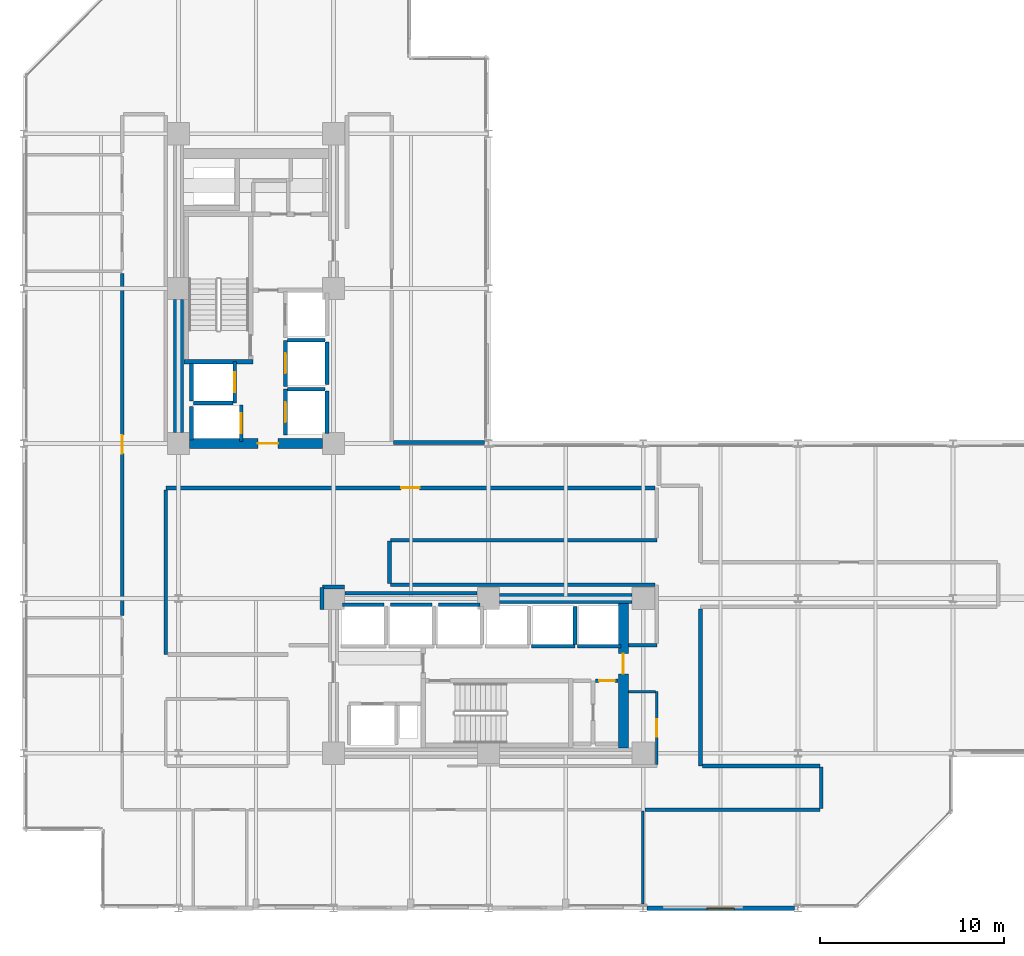
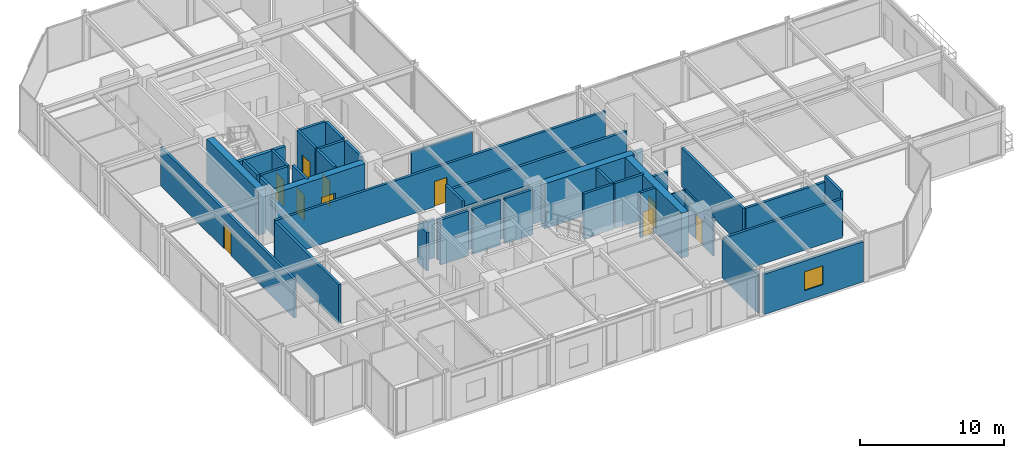
# One storey, part 33 of 38: 42 walls, 10 doors, 1 window, 11 openings.
"""IFC4 building model written with IfcOpenShell, lengths in metres."""

from ifc_helpers import new_model, si_unit, direction, frame, frame_2d, origin, place, context, subcontext, project, spatial, rectangle, extrude, material, layer, layer_set, type_object, element, fill, save


model = new_model("IFC4")

# Units and contexts
model_context = context("Model", 3, precision=1e-05, world=origin(), true_north=direction((0.0, 1.0)))
body_context = subcontext(model_context, "Body", "Model", "MODEL_VIEW")
ifc_project = project(units=[si_unit("LENGTHUNIT", "METRE"), si_unit("AREAUNIT", "SQUARE_METRE"), si_unit("VOLUMEUNIT", "CUBIC_METRE"), si_unit("PLANEANGLEUNIT", "RADIAN"), si_unit("MASSUNIT", "GRAM", prefix="KILO")], contexts=[model_context])

# Site, building, storey
site_placement = place(None, origin())
site = spatial("IfcSite", under=ifc_project, at=site_placement, CompositionType="ELEMENT")
building_placement = place(site_placement, origin())
building = spatial("IfcBuilding", under=site, at=building_placement, Name="Nerrivon Quay Data Exchange", CompositionType="ELEMENT")
storey_placement = place(building_placement, frame((0.0, 0.0, 100.800048828125)))
storey = spatial("IfcBuildingStorey", under=building, at=storey_placement, Name="L23", CompositionType="ELEMENT", Elevation=100.800048828125)

# Wall, opening, window
ifc_material_1 = material(Name="Architectural terracotta precast concrete N50 (50 MPa)", Category="masonry")
ifc_layer_1 = layer(ifc_material_1, 0.239990234375)
ifc_layer_set_1 = layer_set([ifc_layer_1], Name="Architectural terracotta precast concrete N50 (50 MPa)")
wall_type_1 = type_object("IfcWallType", Name="EW-PREC-240", PredefinedType="STANDARD", material=ifc_layer_set_1)
wall_1_placement = place(storey_placement, frame((41.800048828125, 0.0, 0.0), z_axis=(0.0, 0.0, 1.0), x_axis=(-1.0, 0.0, 0.0)))
wall_1 = element("IfcWall", 1, at=wall_1_placement, inside=storey, type_object=wall_type_1, Name="L23 Podium Precast Spandrel Wall 7", PredefinedType="STANDARD", context=body_context, shape_type="SweptSolid", body=[
    extrude(rectangle(XDim=8.0, YDim=0.239990234375, at=frame_2d((4.0, 0.0))), origin(), (0.0, 0.0, 1.0), 3.421875),
])
opening_1_placement = place(wall_1_placement, frame((3.25, 0.0, 0.89990234375)))
opening_1 = element("IfcOpeningElement", 2, at=opening_1_placement, cuts=wall_1, Name="Opening WN4", PredefinedType="OPENING", context=body_context, shape_type="SweptSolid", body=[
    extrude(rectangle(XDim=1.5, YDim=1.60009765625, at=frame_2d((0.75, 0.800048828125))), frame((0.0, 0.1298828125, 0.0), z_axis=(0.0, -1.0, 0.0), x_axis=(1.0, 0.0, 0.0)), (0.0, 0.0, 1.0), 0.260009765625),
])
ifc_material_2 = material(Name="Double-glazed low-E solar control glass", Category="glass")
window_type = type_object("IfcWindowType", Name="WIN-W4-1500x1600", PartitioningType="SINGLE_PANEL", PredefinedType="WINDOW", material=ifc_material_2)
window_placement = place(opening_1_placement, origin())
window = element("IfcWindow", 3, at=window_placement, inside=storey, type_object=window_type, Name="L23 Solar Facade Window 7", OverallHeight=1.60009765625, OverallWidth=1.5, PartitioningType="SINGLE_PANEL", PredefinedType="WINDOW", context=body_context, shape_type="SweptSolid", body=[
    extrude(rectangle(XDim=1.5, YDim=1.60009765625, at=frame_2d((0.75, 0.800048828125))), frame((0.0, 0.030029296875, 0.0), z_axis=(0.0, -1.0, 0.0), x_axis=(1.0, 0.0, 0.0)), (0.0, 0.0, 1.0), 0.06005859375),
])
fill(opening_1, window)

# Wall
ifc_material_3 = material(Name="Concrete S65 (65 MPa)", Category="concrete")
ifc_layer_2 = layer(ifc_material_3, 0.550048828125)
ifc_layer_set_2 = layer_set([ifc_layer_2], Name="Concrete S65 (65 MPa)")
wall_type_2 = type_object("IfcWallType", Name="WALL-CW-700", PredefinedType="SHEAR", material=ifc_layer_set_2)
wall_2_placement = place(storey_placement, frame((8.39990234375, 25.800048828125, 0.0), z_axis=(0.0, 0.0, 1.0), x_axis=(0.0, 1.0, 0.0)))
element("IfcWall", 4, at=wall_2_placement, inside=storey, type_object=wall_type_2, Name="L23 West Split-Core Shear Wall WCW-W1", PredefinedType="SHEAR", context=body_context, shape_type="SweptSolid", body=[
    extrude(rectangle(XDim=7.199951171875, YDim=0.550048828125, at=frame_2d((3.60009765625, 0.0))), origin(), (0.0, 0.0, 1.0), 3.824951171875),
])

# Wall, opening, door
wall_3_placement = place(storey_placement, frame((9.0, 25.199951171875, 0.0), z_axis=(0.0, 0.0, 1.0), x_axis=(1.0, 0.0, 0.0)))
wall_3 = element("IfcWall", 5, at=wall_3_placement, inside=storey, type_object=wall_type_2, Name="L23 West Split-Core Shear Wall WCW-S1", PredefinedType="SHEAR", context=body_context, shape_type="SweptSolid", body=[
    extrude(rectangle(XDim=7.199951171875, YDim=0.550048828125, at=frame_2d((3.60009765625, 0.0))), origin(), (0.0, 0.0, 1.0), 3.824951171875),
])
opening_2_placement = place(wall_3_placement, frame((3.699951171875, 0.0, 0.0)))
opening_2 = element("IfcOpeningElement", 6, at=opening_2_placement, cuts=wall_3, Name="Opening FD-120", PredefinedType="OPENING", context=body_context, shape_type="SweptSolid", body=[
    extrude(rectangle(XDim=1.10009765625, YDim=2.14990234375, at=frame_2d((0.550048828125, 1.074951171875))), frame((0.0, 0.284912109375, 0.0), z_axis=(0.0, -1.0, 0.0), x_axis=(1.0, 0.0, 0.0)), (0.0, 0.0, 1.0), 0.570068359375),
])
ifc_material_4 = material(Name="Powder-coated galvanized steel sheet", Category="steel")
door_type_1 = type_object("IfcDoorType", Name="DR-FD120-1100", OperationType="NOTDEFINED", PredefinedType="DOOR", material=ifc_material_4)
door_1_placement = place(opening_2_placement, origin())
door_1 = element("IfcDoor", 7, at=door_1_placement, inside=storey, type_object=door_type_1, Name="L23 West Core Lobby Fire Door", OperationType="SINGLE_SWING_RIGHT", OverallHeight=2.14990234375, OverallWidth=1.10009765625, PredefinedType="DOOR", context=body_context, shape_type="SweptSolid", body=[
    extrude(rectangle(XDim=1.10009765625, YDim=2.14990234375, at=frame_2d((0.550048828125, 1.074951171875))), frame((0.0, 0.02490234375, 0.0), z_axis=(0.0, -1.0, 0.0), x_axis=(1.0, 0.0, 0.0)), (0.0, 0.0, 1.0), 0.050048828125),
])
fill(opening_2, door_1)

wall_4_placement = place(storey_placement, frame((32.52490234375, 8.675048828125, 0.0), z_axis=(0.0, 0.0, 1.0), x_axis=(0.0, 1.0, 0.0)))
wall_4 = element("IfcWall", 8, at=wall_4_placement, inside=storey, type_object=wall_type_2, Name="L23 East Split-Core Shear Wall ECW-E1", PredefinedType="SHEAR", context=body_context, shape_type="SweptSolid", body=[
    extrude(rectangle(XDim=7.849853515625, YDim=0.550048828125, at=frame_2d((3.9248046875, 0.0))), origin(), (0.0, 0.0, 1.0), 3.824951171875),
])
opening_3_placement = place(wall_4_placement, frame((4.02490234375, 0.0, 0.0)))
opening_3 = element("IfcOpeningElement", 9, at=opening_3_placement, cuts=wall_4, Name="Opening FD-120", PredefinedType="OPENING", context=body_context, shape_type="SweptSolid", body=[
    extrude(rectangle(XDim=1.10009765625, YDim=2.14990234375, at=frame_2d((0.550048828125, 1.074951171875))), frame((0.0, 0.284912109375, 0.0), z_axis=(0.0, -1.0, 0.0), x_axis=(1.0, 0.0, 0.0)), (0.0, 0.0, 1.0), 0.570068359375),
])
door_2_placement = place(opening_3_placement, origin())
door_2 = element("IfcDoor", 10, at=door_2_placement, inside=storey, type_object=door_type_1, Name="L23 East Core Lobby Fire Door", OperationType="SINGLE_SWING_LEFT", OverallHeight=2.14990234375, OverallWidth=1.10009765625, PredefinedType="DOOR", context=body_context, shape_type="SweptSolid", body=[
    extrude(rectangle(XDim=1.10009765625, YDim=2.14990234375, at=frame_2d((0.550048828125, 1.074951171875))), frame((0.0, 0.02490234375, 0.0), z_axis=(0.0, -1.0, 0.0), x_axis=(1.0, 0.0, 0.0)), (0.0, 0.0, 1.0), 0.050048828125),
])
fill(opening_3, door_2)

# Wall
wall_5_placement = place(storey_placement, frame((25.800048828125, 16.800048828125, 0.0), z_axis=(0.0, 0.0, 1.0), x_axis=(1.0, 0.0, 0.0)))
element("IfcWall", 11, at=wall_5_placement, inside=storey, type_object=wall_type_2, Name="L23 East Split-Core Shear Wall ECW-N1", PredefinedType="SHEAR", context=body_context, shape_type="SweptSolid", body=[
    extrude(rectangle(XDim=7.199951171875, YDim=0.550048828125, at=frame_2d((3.60009765625, 0.0))), origin(), (0.0, 0.0, 1.0), 3.824951171875),
])

# Wall, opening, door
ifc_material_5 = material(Name="Gypsum plasterboard on cold-formed framing", Category="gypsum")
ifc_layer_3 = layer(ifc_material_5, 0.199951171875)
ifc_layer_set_3 = layer_set([ifc_layer_3], Name="Gypsum plasterboard on cold-formed framing")
wall_type_3 = type_object("IfcWallType", Name="WALL-FW-200", PredefinedType="PARTITIONING", material=ifc_layer_set_3)
wall_6_placement = place(storey_placement, frame((11.449951171875, 27.39990234375, 0.0), z_axis=(0.0, 0.0, 1.0), x_axis=(0.0, 1.0, 0.0)))
wall_6 = element("IfcWall", 12, at=wall_6_placement, inside=storey, type_object=wall_type_3, Name="L23 Lift Front Wall FFL-1", PredefinedType="PARTITIONING", context=body_context, shape_type="SweptSolid", body=[
    extrude(rectangle(XDim=2.25, YDim=0.199951171875, at=frame_2d((1.125, 0.0))), origin(), (0.0, 0.0, 1.0), 3.824951171875),
])
opening_4_placement = place(wall_6_placement, frame((0.574951171875, 0.0, 0.0)))
opening_4 = element("IfcOpeningElement", 13, at=opening_4_placement, cuts=wall_6, Name="Opening LD-120", PredefinedType="OPENING", context=body_context, shape_type="SweptSolid", body=[
    extrude(rectangle(XDim=1.10009765625, YDim=2.199951171875, at=frame_2d((0.550048828125, 1.10009765625))), frame((0.0, 0.10986328125, 0.0), z_axis=(0.0, -1.0, 0.0), x_axis=(1.0, 0.0, 0.0)), (0.0, 0.0, 1.0), 0.219970703125),
])
door_type_2 = type_object("IfcDoorType", Name="DR-LIFT-LD120", OperationType="DOUBLE_DOOR_SLIDING", PredefinedType="DOOR", material=ifc_material_4)
door_3_placement = place(opening_4_placement, origin())
door_3 = element("IfcDoor", 14, at=door_3_placement, inside=storey, type_object=door_type_2, Name="L23 Lift Landing Sliding Door FFL-1", OperationType="DOUBLE_DOOR_SLIDING", OverallHeight=2.199951171875, OverallWidth=1.10009765625, PredefinedType="DOOR", context=body_context, shape_type="SweptSolid", body=[
    extrude(rectangle(XDim=1.10009765625, YDim=2.199951171875, at=frame_2d((0.550048828125, 1.10009765625))), frame((0.0, 0.02490234375, 0.0), z_axis=(0.0, -1.0, 0.0), x_axis=(1.0, 0.0, 0.0)), (0.0, 0.0, 1.0), 0.050048828125),
])
fill(opening_4, door_3)

# Walls
wall_7_placement = place(storey_placement, frame((9.10009765625, 27.5, 0.0), z_axis=(0.0, 0.0, 1.0), x_axis=(0.0, 1.0, 0.0)))
element("IfcWall", 15, at=wall_7_placement, inside=storey, type_object=wall_type_3, Name="L23 Lift Shaft Wall FFL-1 WEST", PredefinedType="PARTITIONING", context=body_context, shape_type="SweptSolid", body=[
    extrude(rectangle(XDim=2.050048828125, YDim=0.199951171875, at=frame_2d((1.02490234375, 0.0))), origin(), (0.0, 0.0, 1.0), 3.824951171875),
])
wall_8_placement = place(storey_placement, frame((9.199951171875, 27.39990234375, 0.0), z_axis=(0.0, 0.0, 1.0), x_axis=(1.0, 0.0, 0.0)))
element("IfcWall", 16, at=wall_8_placement, inside=storey, type_object=wall_type_3, Name="L23 Lift Shaft Wall FFL-1 SOUTH", PredefinedType="PARTITIONING", context=body_context, shape_type="SweptSolid", body=[
    extrude(rectangle(XDim=2.150146484375, YDim=0.199951171875, at=frame_2d((1.0751953125, 0.0))), origin(), (0.0, 0.0, 1.0), 3.824951171875),
])

# Wall, opening, door
wall_9_placement = place(storey_placement, frame((11.800048828125, 25.300048828125, 0.0), z_axis=(0.0, 0.0, 1.0), x_axis=(0.0, 1.0, 0.0)))
wall_9 = element("IfcWall", 17, at=wall_9_placement, inside=storey, type_object=wall_type_3, Name="L23 Lift Front Wall SVL-1", PredefinedType="PARTITIONING", context=body_context, shape_type="SweptSolid", body=[
    extrude(rectangle(XDim=2.0, YDim=0.199951171875, at=frame_2d((1.0, 0.0))), origin(), (0.0, 0.0, 1.0), 3.824951171875),
])
opening_5_placement = place(wall_9_placement, frame((0.449951171875, 0.0, 0.0)))
opening_5 = element("IfcOpeningElement", 18, at=opening_5_placement, cuts=wall_9, Name="Opening LD-120", PredefinedType="OPENING", context=body_context, shape_type="SweptSolid", body=[
    extrude(rectangle(XDim=1.10009765625, YDim=2.199951171875, at=frame_2d((0.550048828125, 1.10009765625))), frame((0.0, 0.10986328125, 0.0), z_axis=(0.0, -1.0, 0.0), x_axis=(1.0, 0.0, 0.0)), (0.0, 0.0, 1.0), 0.219970703125),
])
door_4_placement = place(opening_5_placement, origin())
door_4 = element("IfcDoor", 19, at=door_4_placement, inside=storey, type_object=door_type_2, Name="L23 Lift Landing Sliding Door SVL-1", OperationType="DOUBLE_DOOR_SLIDING", OverallHeight=2.199951171875, OverallWidth=1.10009765625, PredefinedType="DOOR", context=body_context, shape_type="SweptSolid", body=[
    extrude(rectangle(XDim=1.10009765625, YDim=2.199951171875, at=frame_2d((0.550048828125, 1.10009765625))), frame((0.0, 0.02490234375, 0.0), z_axis=(0.0, -1.0, 0.0), x_axis=(1.0, 0.0, 0.0)), (0.0, 0.0, 1.0), 0.050048828125),
])
fill(opening_5, door_4)

# Wall
wall_10_placement = place(storey_placement, frame((9.10009765625, 25.39990234375, 0.0), z_axis=(0.0, 0.0, 1.0), x_axis=(0.0, 1.0, 0.0)))
element("IfcWall", 20, at=wall_10_placement, inside=storey, type_object=wall_type_3, Name="L23 Lift Shaft Wall SVL-1 WEST", PredefinedType="PARTITIONING", context=body_context, shape_type="SweptSolid", body=[
    extrude(rectangle(XDim=1.800048828125, YDim=0.199951171875, at=frame_2d((0.89990234375, 0.0))), origin(), (0.0, 0.0, 1.0), 3.824951171875),
])

# Wall, opening, door
wall_11_placement = place(storey_placement, frame((14.199951171875, 25.64990234375, 0.0), z_axis=(0.0, 0.0, 1.0), x_axis=(0.0, 1.0, 0.0)))
wall_11 = element("IfcWall", 21, at=wall_11_placement, inside=storey, type_object=wall_type_3, Name="L23 Lift Front Wall PL1", PredefinedType="PARTITIONING", context=body_context, shape_type="SweptSolid", body=[
    extrude(rectangle(XDim=2.5, YDim=0.199951171875, at=frame_2d((1.25, 0.0))), origin(), (0.0, 0.0, 1.0), 3.824951171875),
])
opening_6_placement = place(wall_11_placement, frame((0.699951171875, 0.0, 0.0)))
opening_6 = element("IfcOpeningElement", 22, at=opening_6_placement, cuts=wall_11, Name="Opening LD-120", PredefinedType="OPENING", context=body_context, shape_type="SweptSolid", body=[
    extrude(rectangle(XDim=1.10009765625, YDim=2.199951171875, at=frame_2d((0.550048828125, 1.10009765625))), frame((0.0, 0.10986328125, 0.0), z_axis=(0.0, -1.0, 0.0), x_axis=(1.0, 0.0, 0.0)), (0.0, 0.0, 1.0), 0.219970703125),
])
door_5_placement = place(opening_6_placement, origin())
door_5 = element("IfcDoor", 23, at=door_5_placement, inside=storey, type_object=door_type_2, Name="L23 Lift Landing Sliding Door PL1", OperationType="DOUBLE_DOOR_SLIDING", OverallHeight=2.199951171875, OverallWidth=1.10009765625, PredefinedType="DOOR", context=body_context, shape_type="SweptSolid", body=[
    extrude(rectangle(XDim=1.10009765625, YDim=2.199951171875, at=frame_2d((0.550048828125, 1.10009765625))), frame((0.0, 0.02490234375, 0.0), z_axis=(0.0, -1.0, 0.0), x_axis=(1.0, 0.0, 0.0)), (0.0, 0.0, 1.0), 0.050048828125),
])
fill(opening_6, door_5)

# Walls
wall_12_placement = place(storey_placement, frame((16.449951171875, 25.75, 0.0), z_axis=(0.0, 0.0, 1.0), x_axis=(0.0, 1.0, 0.0)))
element("IfcWall", 24, at=wall_12_placement, inside=storey, type_object=wall_type_3, Name="L23 Lift Shaft Wall PL1 EAST", PredefinedType="PARTITIONING", context=body_context, shape_type="SweptSolid", body=[
    extrude(rectangle(XDim=2.300048828125, YDim=0.199951171875, at=frame_2d((1.14990234375, 0.0))), origin(), (0.0, 0.0, 1.0), 3.824951171875),
])
wall_13_placement = place(storey_placement, frame((14.300048828125, 28.14990234375, 0.0), z_axis=(0.0, 0.0, 1.0), x_axis=(1.0, 0.0, 0.0)))
element("IfcWall", 25, at=wall_13_placement, inside=storey, type_object=wall_type_3, Name="L23 Lift Shaft Wall PL1 NORTH", PredefinedType="PARTITIONING", context=body_context, shape_type="SweptSolid", body=[
    extrude(rectangle(XDim=2.050048828125, YDim=0.199951171875, at=frame_2d((1.02490234375, 0.0))), origin(), (0.0, 0.0, 1.0), 3.824951171875),
])

# Wall, opening, door
wall_14_placement = place(storey_placement, frame((14.199951171875, 28.300048828125, 0.0), z_axis=(0.0, 0.0, 1.0), x_axis=(0.0, 1.0, 0.0)))
wall_14 = element("IfcWall", 26, at=wall_14_placement, inside=storey, type_object=wall_type_3, Name="L23 Lift Front Wall PL2", PredefinedType="PARTITIONING", context=body_context, shape_type="SweptSolid", body=[
    extrude(rectangle(XDim=2.5, YDim=0.199951171875, at=frame_2d((1.25, 0.0))), origin(), (0.0, 0.0, 1.0), 3.824951171875),
])
opening_7_placement = place(wall_14_placement, frame((0.699951171875, 0.0, 0.0)))
opening_7 = element("IfcOpeningElement", 27, at=opening_7_placement, cuts=wall_14, Name="Opening LD-120", PredefinedType="OPENING", context=body_context, shape_type="SweptSolid", body=[
    extrude(rectangle(XDim=1.10009765625, YDim=2.199951171875, at=frame_2d((0.550048828125, 1.10009765625))), frame((0.0, 0.10986328125, 0.0), z_axis=(0.0, -1.0, 0.0), x_axis=(1.0, 0.0, 0.0)), (0.0, 0.0, 1.0), 0.219970703125),
])
door_6_placement = place(opening_7_placement, origin())
door_6 = element("IfcDoor", 28, at=door_6_placement, inside=storey, type_object=door_type_2, Name="L23 Lift Landing Sliding Door PL2", OperationType="DOUBLE_DOOR_SLIDING", OverallHeight=2.199951171875, OverallWidth=1.10009765625, PredefinedType="DOOR", context=body_context, shape_type="SweptSolid", body=[
    extrude(rectangle(XDim=1.10009765625, YDim=2.199951171875, at=frame_2d((0.550048828125, 1.10009765625))), frame((0.0, 0.02490234375, 0.0), z_axis=(0.0, -1.0, 0.0), x_axis=(1.0, 0.0, 0.0)), (0.0, 0.0, 1.0), 0.050048828125),
])
fill(opening_7, door_6)

# Walls
wall_15_placement = place(storey_placement, frame((16.449951171875, 28.39990234375, 0.0), z_axis=(0.0, 0.0, 1.0), x_axis=(0.0, 1.0, 0.0)))
element("IfcWall", 29, at=wall_15_placement, inside=storey, type_object=wall_type_3, Name="L23 Lift Shaft Wall PL2 EAST", PredefinedType="PARTITIONING", context=body_context, shape_type="SweptSolid", body=[
    extrude(rectangle(XDim=2.300048828125, YDim=0.199951171875, at=frame_2d((1.14990234375, 0.0))), origin(), (0.0, 0.0, 1.0), 3.824951171875),
])
wall_16_placement = place(storey_placement, frame((14.300048828125, 30.800048828125, 0.0), z_axis=(0.0, 0.0, 1.0), x_axis=(1.0, 0.0, 0.0)))
element("IfcWall", 30, at=wall_16_placement, inside=storey, type_object=wall_type_3, Name="L23 Lift Shaft Wall PL2 NORTH", PredefinedType="PARTITIONING", context=body_context, shape_type="SweptSolid", body=[
    extrude(rectangle(XDim=2.050048828125, YDim=0.199951171875, at=frame_2d((1.02490234375, 0.0))), origin(), (0.0, 0.0, 1.0), 3.824951171875),
])
for number, where, z_axis, x_axis, name in (
    (31, (17.300048828125, 16.449951171875, 0.0), (0.0, 0.0, 1.0), (1.0, 0.0, 0.0), "L23 Lift Shaft Wall PL4 NORTH"),
    (32, (19.89990234375, 16.449951171875, 0.0), (0.0, 0.0, 1.0), (1.0, 0.0, 0.0), "L23 Lift Shaft Wall PL5 NORTH"),
    (33, (22.5, 16.449951171875, 0.0), (0.0, 0.0, 1.0), (1.0, 0.0, 0.0), "L23 Lift Shaft Wall PL6 NORTH"),
):
    element("IfcWall", number, at=place(storey_placement, frame(where, z_axis=z_axis, x_axis=x_axis)), inside=storey, type_object=wall_type_3, Name=name, PredefinedType="PARTITIONING", context=body_context, shape_type="SweptSolid", body=[
        extrude(rectangle(XDim=2.25, YDim=0.199951171875, at=frame_2d((1.125, 0.0))), origin(), (0.0, 0.0, 1.0), 3.824951171875),
    ])
wall_17_placement = place(storey_placement, frame((27.550048828125, 14.199951171875, 0.0), z_axis=(0.0, 0.0, 1.0), x_axis=(1.0, 0.0, 0.0)))
element("IfcWall", 34, at=wall_17_placement, inside=storey, type_object=wall_type_3, Name="L23 Lift Front Wall PL8", PredefinedType="PARTITIONING", context=body_context, shape_type="SweptSolid", body=[
    extrude(rectangle(XDim=2.349853515625, YDim=0.199951171875, at=frame_2d((1.1748046875, 0.0))), origin(), (0.0, 0.0, 1.0), 3.824951171875),
])
wall_18_placement = place(storey_placement, frame((29.89990234375, 14.300048828125, 0.0), z_axis=(0.0, 0.0, 1.0), x_axis=(0.0, 1.0, 0.0)))
element("IfcWall", 35, at=wall_18_placement, inside=storey, type_object=wall_type_3, Name="L23 Lift Shaft Wall PL8 EAST", PredefinedType="PARTITIONING", context=body_context, shape_type="SweptSolid", body=[
    extrude(rectangle(XDim=2.050048828125, YDim=0.199951171875, at=frame_2d((1.02490234375, 0.0))), origin(), (0.0, 0.0, 1.0), 3.824951171875),
])
wall_19_placement = place(storey_placement, frame((30.050048828125, 14.199951171875, 0.0), z_axis=(0.0, 0.0, 1.0), x_axis=(1.0, 0.0, 0.0)))
element("IfcWall", 36, at=wall_19_placement, inside=storey, type_object=wall_type_3, Name="L23 Lift Front Wall PL9", PredefinedType="PARTITIONING", context=body_context, shape_type="SweptSolid", body=[
    extrude(rectangle(XDim=2.349853515625, YDim=0.199951171875, at=frame_2d((1.1748046875, 0.0))), origin(), (0.0, 0.0, 1.0), 3.824951171875),
])

# Wall, opening, door
wall_20_placement = place(storey_placement, frame((32.24609375, 12.330078125, 0.0), z_axis=(0.0, 0.0, 1.0), x_axis=(-1.0, 0.0, 0.0)))
wall_20 = element("IfcWall", 37, at=wall_20_placement, inside=storey, type_object=wall_type_3, Name="L23 Partition East Cleaners Store", PredefinedType="PARTITIONING", context=body_context, shape_type="SweptSolid", body=[
    extrude(rectangle(XDim=1.22607421875, YDim=0.199951171875, at=frame_2d((0.613037109375, 0.0))), origin(), (0.0, 0.0, 1.0), 3.824951171875),
])
opening_8_placement = place(wall_20_placement, frame((0.18798828125, 0.0, 0.0)))
opening_8 = element("IfcOpeningElement", 38, at=opening_8_placement, cuts=wall_20, Name="Opening FD-60S", PredefinedType="OPENING", context=body_context, shape_type="SweptSolid", body=[
    extrude(rectangle(XDim=0.85009765625, YDim=2.14990234375, at=frame_2d((0.425048828125, 1.074951171875))), frame((0.0, 0.10986328125, 0.0), z_axis=(0.0, -1.0, 0.0), x_axis=(1.0, 0.0, 0.0)), (0.0, 0.0, 1.0), 0.219970703125),
])
ifc_material_6 = material(Name="Engineered hardwood timber", Category="wood")
door_type_3 = type_object("IfcDoorType", Name="DR-FD60-850", OperationType="NOTDEFINED", PredefinedType="DOOR", material=ifc_material_6)
door_7_placement = place(opening_8_placement, origin())
door_7 = element("IfcDoor", 39, at=door_7_placement, inside=storey, type_object=door_type_3, Name="L23 Door East Cleaners Store", OperationType="SINGLE_SWING_RIGHT", OverallHeight=2.14990234375, OverallWidth=0.85009765625, PredefinedType="DOOR", context=body_context, shape_type="SweptSolid", body=[
    extrude(rectangle(XDim=0.85009765625, YDim=2.14990234375, at=frame_2d((0.425048828125, 1.074951171875))), frame((0.0, 0.02490234375, 0.0), z_axis=(0.0, -1.0, 0.0), x_axis=(1.0, 0.0, 0.0)), (0.0, 0.0, 1.0), 0.050048828125),
])
fill(opening_8, door_7)

wall_21_placement = place(storey_placement, frame((5.340087890625, 15.8701171875, 0.0), z_axis=(0.0, 0.0, 1.0), x_axis=(0.0, 1.0, 0.0)))
wall_21 = element("IfcWall", 40, at=wall_21_placement, inside=storey, type_object=wall_type_3, Name="L23 Partition Colocation Data Workspace 1", PredefinedType="PARTITIONING", context=body_context, shape_type="SweptSolid", body=[
    extrude(rectangle(XDim=18.559814453125, YDim=0.199951171875, at=frame_2d((9.27978515625, 0.0))), origin(), (0.0, 0.0, 1.0), 3.2919921875),
])
opening_9_placement = place(wall_21_placement, frame((8.780029296875, 0.0, 0.0)))
opening_9 = element("IfcOpeningElement", 41, at=opening_9_placement, cuts=wall_21, Name="Opening FD-60", PredefinedType="OPENING", context=body_context, shape_type="SweptSolid", body=[
    extrude(rectangle(XDim=1.0, YDim=2.14990234375, at=frame_2d((0.5, 1.074951171875))), frame((0.0, 0.10986328125, 0.0), z_axis=(0.0, -1.0, 0.0), x_axis=(1.0, 0.0, 0.0)), (0.0, 0.0, 1.0), 0.219970703125),
])
door_type_4 = type_object("IfcDoorType", Name="DR-FD60-1000", OperationType="NOTDEFINED", PredefinedType="DOOR", material=ifc_material_6)
door_8_placement = place(opening_9_placement, origin())
door_8 = element("IfcDoor", 42, at=door_8_placement, inside=storey, type_object=door_type_4, Name="L23 Door Colocation Data Workspace 1", OperationType="SINGLE_SWING_RIGHT", OverallHeight=2.14990234375, OverallWidth=1.0, PredefinedType="DOOR", context=body_context, shape_type="SweptSolid", body=[
    extrude(rectangle(XDim=1.0, YDim=2.14990234375, at=frame_2d((0.5, 1.074951171875))), frame((0.0, 0.02490234375, 0.0), z_axis=(0.0, -1.0, 0.0), x_axis=(1.0, 0.0, 0.0)), (0.0, 0.0, 1.0), 0.050048828125),
])
fill(opening_9, door_8)

# Walls
wall_22_placement = place(storey_placement, frame((32.803955078125, 14.260009765625, 0.0), z_axis=(0.0, 0.0, 1.0), x_axis=(1.0, 0.0, 0.0)))
element("IfcWall", 43, at=wall_22_placement, inside=storey, type_object=wall_type_3, Name="L23 Partition Colocation Data Workspace 6", PredefinedType="PARTITIONING", context=body_context, shape_type="SweptSolid", body=[
    extrude(rectangle(XDim=1.5361328125, YDim=0.199951171875, at=frame_2d((0.76806640625, 0.0))), origin(), (0.0, 0.0, 1.0), 3.296875),
])
wall_23_placement = place(storey_placement, frame((34.236083984375, 17.5400390625, 0.0), z_axis=(0.0, 0.0, 1.0), x_axis=(-1.0, 0.0, 0.0)))
element("IfcWall", 44, at=wall_23_placement, inside=storey, type_object=wall_type_3, Name="L23 Partition Colocation Data Workspace 6", PredefinedType="PARTITIONING", context=body_context, shape_type="SweptSolid", body=[
    extrude(rectangle(XDim=14.336181640625, YDim=0.199951171875, at=frame_2d((7.16796875, 0.0))), origin(), (0.0, 0.0, 1.0), 3.296875),
])
wall_24_placement = place(storey_placement, frame((19.840087890625, 17.60009765625, 0.0), z_axis=(0.0, 0.0, 1.0), x_axis=(0.0, 1.0, 0.0)))
element("IfcWall", 45, at=wall_24_placement, inside=storey, type_object=wall_type_3, Name="L23 Partition Colocation Data Workspace 6", PredefinedType="PARTITIONING", context=body_context, shape_type="SweptSolid", body=[
    extrude(rectangle(XDim=2.2998046875, YDim=0.199951171875, at=frame_2d((1.14990234375, 0.0))), origin(), (0.0, 0.0, 1.0), 3.824951171875),
])
wall_25_placement = place(storey_placement, frame((19.89990234375, 19.9599609375, 0.0), z_axis=(0.0, 0.0, 1.0), x_axis=(1.0, 0.0, 0.0)))
element("IfcWall", 46, at=wall_25_placement, inside=storey, type_object=wall_type_3, Name="L23 Partition Colocation Data Workspace 6", PredefinedType="PARTITIONING", context=body_context, shape_type="SweptSolid", body=[
    extrude(rectangle(XDim=14.440185546875, YDim=0.199951171875, at=frame_2d((7.22021484375, 0.0))), origin(), (0.0, 0.0, 1.0), 3.296875),
])

# Wall, opening, door
wall_26_placement = place(storey_placement, frame((34.236083984375, 22.7900390625, 0.0), z_axis=(0.0, 0.0, 1.0), x_axis=(-1.0, 0.0, 0.0)))
wall_26 = element("IfcWall", 47, at=wall_26_placement, inside=storey, type_object=wall_type_3, Name="L23 Partition Colocation Data Workspace 6", PredefinedType="PARTITIONING", context=body_context, shape_type="SweptSolid", body=[
    extrude(rectangle(XDim=26.526123046875, YDim=0.199951171875, at=frame_2d((13.26318359375, 0.0))), origin(), (0.0, 0.0, 1.0), 3.296875),
])
opening_10_placement = place(wall_26_placement, frame((12.762939453125, 0.0, 0.0)))
opening_10 = element("IfcOpeningElement", 48, at=opening_10_placement, cuts=wall_26, Name="Opening FD-60", PredefinedType="OPENING", context=body_context, shape_type="SweptSolid", body=[
    extrude(rectangle(XDim=1.0, YDim=2.14990234375, at=frame_2d((0.5, 1.074951171875))), frame((0.0, 0.10986328125, 0.0), z_axis=(0.0, -1.0, 0.0), x_axis=(1.0, 0.0, 0.0)), (0.0, 0.0, 1.0), 0.219970703125),
])
door_9_placement = place(opening_10_placement, origin())
door_9 = element("IfcDoor", 49, at=door_9_placement, inside=storey, type_object=door_type_4, Name="L23 Door Colocation Data Workspace 6", OperationType="SINGLE_SWING_RIGHT", OverallHeight=2.14990234375, OverallWidth=1.0, PredefinedType="DOOR", context=body_context, shape_type="SweptSolid", body=[
    extrude(rectangle(XDim=1.0, YDim=2.14990234375, at=frame_2d((0.5, 1.074951171875))), frame((0.0, 0.02490234375, 0.0), z_axis=(0.0, -1.0, 0.0), x_axis=(1.0, 0.0, 0.0)), (0.0, 0.0, 1.0), 0.050048828125),
])
fill(opening_10, door_9)

# Walls
wall_27_placement = place(storey_placement, frame((7.7099609375, 22.68603515625, 0.0), z_axis=(0.0, 0.0, 1.0), x_axis=(0.0, -1.0, 0.0)))
element("IfcWall", 50, at=wall_27_placement, inside=storey, type_object=wall_type_3, Name="L23 Partition Colocation Data Workspace 6", PredefinedType="PARTITIONING", context=body_context, shape_type="SweptSolid", body=[
    extrude(rectangle(XDim=8.926025390625, YDim=0.199951171875, at=frame_2d((4.462890625, 0.0))), origin(), (0.0, 0.0, 1.0), 3.2919921875),
])
wall_28_placement = place(storey_placement, frame((16.180908203125, 16.194091796875, 0.0), z_axis=(0.0, 0.0, 1.0), x_axis=(-0.000809880277, 0.999999672047, 0.0)))
element("IfcWall", 51, at=wall_28_placement, inside=storey, type_object=wall_type_3, Name="L23 Partition Colocation Data Workspace 6", PredefinedType="PARTITIONING", context=body_context, shape_type="SweptSolid", body=[
    extrude(rectangle(XDim=1.205810546875, YDim=0.199951171875, at=frame_2d((0.60302734375, 0.0))), origin(), (0.0, 0.0, 1.0), 3.2919921875),
])
wall_29_placement = place(storey_placement, frame((16.196044921875, 17.419677734375, 0.0), z_axis=(0.0, 0.0, 1.0), x_axis=(0.99999991854, -0.000403632661, 0.0)))
element("IfcWall", 52, at=wall_29_placement, inside=storey, type_object=wall_type_3, Name="L23 Partition Colocation Data Workspace 6", PredefinedType="PARTITIONING", context=body_context, shape_type="SweptSolid", body=[
    extrude(rectangle(XDim=1.209716796875, YDim=0.199951171875, at=frame_2d((0.60498046875, 0.0))), origin(), (0.0, 0.0, 1.0), 3.296875),
])
wall_30_placement = place(storey_placement, frame((17.419921875, 17.074951171875, 0.0), z_axis=(0.0, 0.0, 1.0), x_axis=(1.0, 0.0, 0.0)))
element("IfcWall", 53, at=wall_30_placement, inside=storey, type_object=wall_type_3, Name="L23 Partition Colocation Data Workspace 6", PredefinedType="PARTITIONING", context=body_context, shape_type="SweptSolid", body=[
    extrude(rectangle(XDim=7.16015625, YDim=0.199951171875, at=frame_2d((3.580078125, 0.0))), origin(), (0.0, 0.0, 1.0), 3.468994140625),
])
wall_31_placement = place(storey_placement, frame((20.06396484375, 25.260009765625, 0.0), z_axis=(0.0, 0.0, 1.0), x_axis=(1.0, 0.0, 0.0)))
element("IfcWall", 54, at=wall_31_placement, inside=storey, type_object=wall_type_3, Name="L23 Partition Colocation Data Workspace 7", PredefinedType="PARTITIONING", context=body_context, shape_type="SweptSolid", body=[
    extrude(rectangle(XDim=4.916015625, YDim=0.199951171875, at=frame_2d((2.4580078125, 0.0))), origin(), (0.0, 0.0, 1.0), 3.2919921875),
])
wall_32_placement = place(storey_placement, frame((36.7099609375, 16.236083984375, 0.0), z_axis=(0.0, 0.0, 1.0), x_axis=(0.0, -1.0, 0.0)))
element("IfcWall", 55, at=wall_32_placement, inside=storey, type_object=wall_type_3, Name="L23 Partition Colocation Data Workspace 8", PredefinedType="PARTITIONING", context=body_context, shape_type="SweptSolid", body=[
    extrude(rectangle(XDim=8.526123046875, YDim=0.199951171875, at=frame_2d((4.26318359375, 0.0))), origin(), (0.0, 0.0, 1.0), 3.2919921875),
])
wall_33_placement = place(storey_placement, frame((36.81396484375, 7.7099609375, 0.0), z_axis=(0.0, 0.0, 1.0), x_axis=(1.0, 0.0, 0.0)))
element("IfcWall", 56, at=wall_33_placement, inside=storey, type_object=wall_type_3, Name="L23 Partition Colocation Data Workspace 8", PredefinedType="PARTITIONING", context=body_context, shape_type="SweptSolid", body=[
    extrude(rectangle(XDim=6.385986328125, YDim=0.199951171875, at=frame_2d((3.19287109375, 0.0))), origin(), (0.0, 0.0, 1.0), 3.296875),
])
wall_34_placement = place(storey_placement, frame((43.260009765625, 7.64990234375, 0.0), z_axis=(0.0, 0.0, 1.0), x_axis=(0.0, -1.0, 0.0)))
element("IfcWall", 57, at=wall_34_placement, inside=storey, type_object=wall_type_3, Name="L23 Partition Colocation Data Workspace 8", PredefinedType="PARTITIONING", context=body_context, shape_type="SweptSolid", body=[
    extrude(rectangle(XDim=2.25, YDim=0.199951171875, at=frame_2d((1.125, 0.0))), origin(), (0.0, 0.0, 1.0), 3.824951171875),
])
wall_35_placement = place(storey_placement, frame((43.199951171875, 5.340087890625, 0.0), z_axis=(0.0, 0.0, 1.0), x_axis=(-1.0, 0.0, 0.0)))
element("IfcWall", 58, at=wall_35_placement, inside=storey, type_object=wall_type_3, Name="L23 Partition Colocation Data Workspace 8", PredefinedType="PARTITIONING", context=body_context, shape_type="SweptSolid", body=[
    extrude(rectangle(XDim=9.493408203125, YDim=0.199951171875, at=frame_2d((4.74658203125, 0.0))), origin(), (0.0, 0.0, 1.0), 3.296875),
])
ifc_layer_4 = layer(ifc_material_5, 0.1201171875)
ifc_layer_set_4 = layer_set([ifc_layer_4], Name="Gypsum plasterboard on cold-formed framing")
wall_type_4 = type_object("IfcWallType", Name="WALL-PT-120", PredefinedType="PARTITIONING", material=ifc_layer_set_4)
wall_36_placement = place(storey_placement, frame((34.2685546875, 11.739990234375, 0.0), z_axis=(0.0, 0.0, 1.0), x_axis=(-1.0, 0.0, 0.0)))
element("IfcWall", 59, at=wall_36_placement, inside=storey, type_object=wall_type_4, Name="L23 Partition Staff Pantry", PredefinedType="PARTITIONING", context=body_context, shape_type="SweptSolid", body=[
    extrude(rectangle(XDim=1.464599609375, YDim=0.1201171875, at=frame_2d((0.732421875, 0.0))), origin(), (0.0, 0.0, 1.0), 3.296875),
])

# Wall, opening, door
ifc_layer_5 = layer(ifc_material_5, 0.135009765625)
ifc_layer_set_5 = layer_set([ifc_layer_5], Name="Gypsum plasterboard on cold-formed framing")
wall_type_5 = type_object("IfcWallType", Name="WALL-PT-135", PredefinedType="PARTITIONING", material=ifc_layer_set_5)
wall_37_placement = place(storey_placement, frame((34.340087890625, 7.7890625, 0.0), z_axis=(0.0, 0.0, 1.0), x_axis=(0.0, 1.0, 0.0)))
wall_37 = element("IfcWall", 60, at=wall_37_placement, inside=storey, type_object=wall_type_5, Name="L23 Partition Staff Pantry", PredefinedType="PARTITIONING", context=body_context, shape_type="SweptSolid", body=[
    extrude(rectangle(XDim=3.950927734375, YDim=0.135009765625, at=frame_2d((1.9755859375, 0.0))), origin(), (0.0, 0.0, 1.0), 3.2919921875),
])
opening_11_placement = place(wall_37_placement, frame((1.50048828125, 0.0, 0.0)))
opening_11 = element("IfcOpeningElement", 61, at=opening_11_placement, cuts=wall_37, Name="Opening D-01", PredefinedType="OPENING", context=body_context, shape_type="SweptSolid", body=[
    extrude(rectangle(XDim=0.949951171875, YDim=2.14990234375, at=frame_2d((0.47509765625, 1.074951171875))), frame((0.0, 0.077392578125, 0.0), z_axis=(0.0, -1.0, 0.0), x_axis=(1.0, 0.0, 0.0)), (0.0, 0.0, 1.0), 0.155029296875),
])
door_type_5 = type_object("IfcDoorType", Name="DR-INT-950", OperationType="NOTDEFINED", PredefinedType="DOOR", material=ifc_material_6)
door_10_placement = place(opening_11_placement, origin())
door_10 = element("IfcDoor", 62, at=door_10_placement, inside=storey, type_object=door_type_5, Name="L23 Door Staff Pantry", OperationType="SINGLE_SWING_LEFT", OverallHeight=2.14990234375, OverallWidth=0.949951171875, PredefinedType="DOOR", context=body_context, shape_type="SweptSolid", body=[
    extrude(rectangle(XDim=0.949951171875, YDim=2.14990234375, at=frame_2d((0.47509765625, 1.074951171875))), frame((0.0, 0.02490234375, 0.0), z_axis=(0.0, -1.0, 0.0), x_axis=(1.0, 0.0, 0.0)), (0.0, 0.0, 1.0), 0.050048828125),
])
fill(opening_11, door_10)

# Walls
wall_38_placement = place(storey_placement, frame((33.586669921875, 0.219970703125, 0.0), z_axis=(0.0, 0.0, 1.0), x_axis=(0.0, 1.0, 0.0)))
element("IfcWall", 63, at=wall_38_placement, inside=storey, type_object=wall_type_5, Name="L23 Partition Optical Engineering Studios Workspace", PredefinedType="PARTITIONING", context=body_context, shape_type="SweptSolid", body=[
    extrude(rectangle(XDim=5.041015625, YDim=0.135009765625, at=frame_2d((2.5205078125, 0.0))), origin(), (0.0, 0.0, 1.0), 3.296875),
])
ifc_material_7 = material(Name="Concrete N50 (50 MPa)", Category="concrete")
ifc_layer_6 = layer(ifc_material_7, 0.25)
ifc_layer_set_6 = layer_set([ifc_layer_6], Name="Concrete N50 (50 MPa)")
wall_type_6 = type_object("IfcWallType", Name="WALL-SW-250", PredefinedType="SHEAR", material=ifc_layer_set_6)
wall_39_placement = place(storey_placement, frame((12.449951171875, 29.625, 0.0), z_axis=(0.0, 0.0, 1.0), x_axis=(-1.0, 0.0, 0.0)))
element("IfcWall", 64, at=wall_39_placement, inside=storey, type_object=wall_type_6, Name="L23 ST01 Structural Stair Core Wall NEAR", PredefinedType="SHEAR", context=body_context, shape_type="SweptSolid", body=[
    extrude(rectangle(XDim=3.75, YDim=0.25, at=frame_2d((1.875, 0.0))), origin(), (0.0, 0.0, 1.0), 3.824951171875),
])

save(model, "model.ifc")
